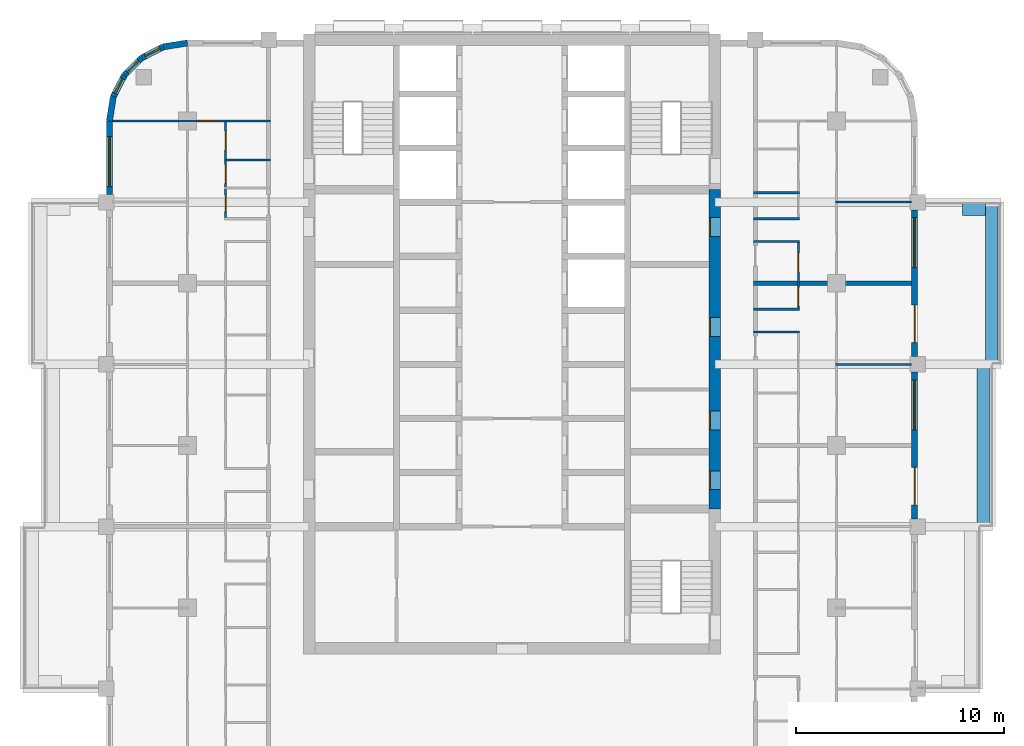
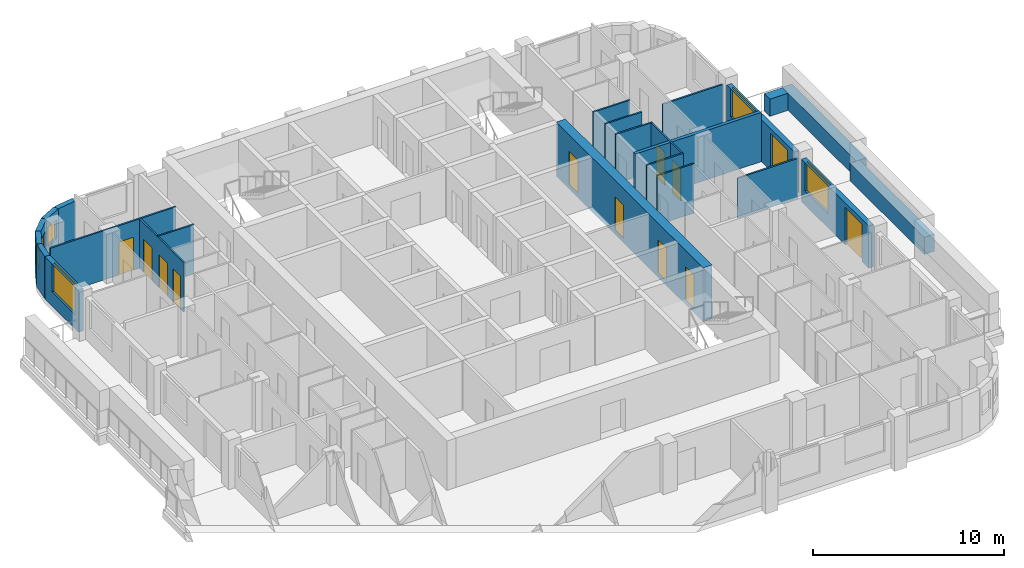
# One storey, part 7 of 13: 24 walls, 12 doors, 6 windows, 18 openings.
"""IFC4 building model written with IfcOpenShell, lengths in metres."""

from ifc_helpers import new_model, si_unit, direction, frame, frame_2d, origin, place, context, subcontext, project, spatial, rectangle, extrude, material, layer, layer_set, type_object, element, fill, save


model = new_model("IFC4")

# Units and contexts
model_context = context("Model", 3, precision=1e-05, world=origin(), true_north=direction((0.0, 1.0)))
body_context = subcontext(model_context, "Body", "Model", "MODEL_VIEW")
ifc_project = project(units=[si_unit("LENGTHUNIT", "METRE"), si_unit("AREAUNIT", "SQUARE_METRE"), si_unit("VOLUMEUNIT", "CUBIC_METRE"), si_unit("PLANEANGLEUNIT", "RADIAN"), si_unit("MASSUNIT", "GRAM", prefix="KILO")], contexts=[model_context])

# Site, building, storey
site_placement = place(None, origin())
site = spatial("IfcSite", under=ifc_project, at=site_placement, CompositionType="ELEMENT")
building_placement = place(site_placement, origin())
building = spatial("IfcBuilding", under=site, at=building_placement, Name="Ludao Terraces", CompositionType="ELEMENT")
storey_placement = place(building_placement, frame((0.0, 0.0, 148.60009765625)))
storey = spatial("IfcBuildingStorey", under=building, at=storey_placement, Name="L40", CompositionType="ELEMENT", Elevation=148.60009765625)

# Wall, openings, doors
ifc_material_1 = material(Name="Concrete C60", Category="concrete")
ifc_layer_1 = layer(ifc_material_1, 0.550048828125)
ifc_layer_set_1 = layer_set([ifc_layer_1], Name="Core wall 550 C60")
wall_type_1 = type_object("IfcWallType", Name="Core wall 550 C60", PredefinedType="SOLIDWALL", material=ifc_layer_set_1)
wall_1_placement = place(storey_placement, frame((94.75, 61.949951171875, -0.300048828125), z_axis=(0.0, 0.0, 1.0), x_axis=(0.0, 1.0, 0.0)))
wall_1 = element("IfcWall", 1, at=wall_1_placement, inside=storey, type_object=wall_type_1, Name="Core wall L40 outer-E", PredefinedType="SOLIDWALL", context=body_context, shape_type="SweptSolid", body=[
    extrude(rectangle(XDim=15.35009765625, YDim=0.550048828125, at=frame_2d((7.675048828125, 0.0))), origin(), (0.0, 0.0, 1.0), 3.449951171875),
])
opening_1_placement = place(wall_1_placement, frame((0.925048828125, 0.0, 0.300048828125)))
opening_1 = element("IfcOpeningElement", 2, at=opening_1_placement, cuts=wall_1, Name="Opening R14-036", PredefinedType="OPENING", context=body_context, shape_type="SweptSolid", body=[
    extrude(rectangle(XDim=0.89990234375, YDim=2.10009765625, at=frame_2d((0.449951171875, 1.050048828125))), frame((0.0, 0.28515625, 0.0), z_axis=(0.0, -1.0, 0.0), x_axis=(1.0, 0.0, 0.0)), (0.0, 0.0, 1.0), 0.570068359375),
])
opening_2_placement = place(wall_1_placement, frame((3.800048828125, 0.0, 0.300048828125)))
opening_2 = element("IfcOpeningElement", 3, at=opening_2_placement, cuts=wall_1, Name="Opening R14-042", PredefinedType="OPENING", context=body_context, shape_type="SweptSolid", body=[
    extrude(rectangle(XDim=0.89990234375, YDim=2.10009765625, at=frame_2d((0.449951171875, 1.050048828125))), frame((0.0, 0.28515625, 0.0), z_axis=(0.0, -1.0, 0.0), x_axis=(1.0, 0.0, 0.0)), (0.0, 0.0, 1.0), 0.570068359375),
])
opening_3_placement = place(wall_1_placement, frame((8.300048828125, 0.0, 0.300048828125)))
opening_3 = element("IfcOpeningElement", 4, at=opening_3_placement, cuts=wall_1, Name="Opening R14-055", PredefinedType="OPENING", context=body_context, shape_type="SweptSolid", body=[
    extrude(rectangle(XDim=0.89990234375, YDim=2.10009765625, at=frame_2d((0.449951171875, 1.050048828125))), frame((0.0, 0.28515625, 0.0), z_axis=(0.0, -1.0, 0.0), x_axis=(1.0, 0.0, 0.0)), (0.0, 0.0, 1.0), 0.570068359375),
])
opening_4_placement = place(wall_1_placement, frame((13.10009765625, 0.0, 0.300048828125)))
opening_4 = element("IfcOpeningElement", 5, at=opening_4_placement, cuts=wall_1, Name="Opening R14-070", PredefinedType="OPENING", context=body_context, shape_type="SweptSolid", body=[
    extrude(rectangle(XDim=0.89990234375, YDim=2.10009765625, at=frame_2d((0.449951171875, 1.050048828125))), frame((0.0, 0.28515625, 0.0), z_axis=(0.0, -1.0, 0.0), x_axis=(1.0, 0.0, 0.0)), (0.0, 0.0, 1.0), 0.570068359375),
])
ifc_material_2 = material(Name="Steel Q235", Category="steel")
door_type_1 = type_object("IfcDoorType", Name="INT Riser door 900", OperationType="SINGLE_SWING_LEFT", PredefinedType="DOOR", material=ifc_material_2)
door_1_placement = place(opening_1_placement, origin())
door_1 = element("IfcDoor", 6, at=door_1_placement, inside=storey, type_object=door_type_1, Name="DOOR 036", OperationType="SINGLE_SWING_LEFT", OverallHeight=2.10009765625, OverallWidth=0.89990234375, PredefinedType="DOOR", context=body_context, shape_type="SweptSolid", body=[
    extrude(rectangle(XDim=0.89990234375, YDim=2.10009765625, at=frame_2d((0.449951171875, 1.050048828125))), frame((0.0, 0.26025390625, 0.0), z_axis=(0.0, -1.0, 0.0), x_axis=(1.0, 0.0, 0.0)), (0.0, 0.0, 1.0), 0.050048828125),
])
fill(opening_1, door_1)
door_2_placement = place(opening_4_placement, origin())
door_2 = element("IfcDoor", 7, at=door_2_placement, inside=storey, type_object=door_type_1, Name="DOOR 070", OperationType="SINGLE_SWING_RIGHT", OverallHeight=2.10009765625, OverallWidth=0.89990234375, PredefinedType="DOOR", context=body_context, shape_type="SweptSolid", body=[
    extrude(rectangle(XDim=0.89990234375, YDim=2.10009765625, at=frame_2d((0.449951171875, 1.050048828125))), frame((0.0, 0.26025390625, 0.0), z_axis=(0.0, -1.0, 0.0), x_axis=(1.0, 0.0, 0.0)), (0.0, 0.0, 1.0), 0.050048828125),
])
fill(opening_4, door_2)
ifc_material_3 = material(Name="Timber door leaf", Category="wood")
door_type_2 = type_object("IfcDoorType", Name="INT Room door 900", OperationType="SINGLE_SWING_LEFT", PredefinedType="DOOR", material=ifc_material_3)
door_3_placement = place(opening_2_placement, origin())
door_3 = element("IfcDoor", 8, at=door_3_placement, inside=storey, type_object=door_type_2, Name="DOOR 042", OperationType="SINGLE_SWING_LEFT", OverallHeight=2.10009765625, OverallWidth=0.89990234375, PredefinedType="DOOR", context=body_context, shape_type="SweptSolid", body=[
    extrude(rectangle(XDim=0.89990234375, YDim=2.10009765625, at=frame_2d((0.449951171875, 1.050048828125))), frame((0.0, 0.26025390625, 0.0), z_axis=(0.0, -1.0, 0.0), x_axis=(1.0, 0.0, 0.0)), (0.0, 0.0, 1.0), 0.050048828125),
])
fill(opening_2, door_3)
door_4_placement = place(opening_3_placement, origin())
door_4 = element("IfcDoor", 9, at=door_4_placement, inside=storey, type_object=door_type_2, Name="DOOR 055", OperationType="SINGLE_SWING_RIGHT", OverallHeight=2.10009765625, OverallWidth=0.89990234375, PredefinedType="DOOR", context=body_context, shape_type="SweptSolid", body=[
    extrude(rectangle(XDim=0.89990234375, YDim=2.10009765625, at=frame_2d((0.449951171875, 1.050048828125))), frame((0.0, 0.26025390625, 0.0), z_axis=(0.0, -1.0, 0.0), x_axis=(1.0, 0.0, 0.0)), (0.0, 0.0, 1.0), 0.050048828125),
])
fill(opening_3, door_4)

# Walls
ifc_material_4 = material(Name="Concrete C40", Category="concrete")
ifc_layer_2 = layer(ifc_material_4, 0.60009765625)
ifc_layer_set_2 = layer_set([ifc_layer_2], Name="ENV Planter trough 600")
wall_type_2 = type_object("IfcWallType", Name="ENV Planter trough 600", PredefinedType="USERDEFINED", material=ifc_layer_set_2)
wall_2_placement = place(storey_placement, frame((107.64990234375, 61.10009765625, 0.0), z_axis=(0.0, 0.0, 1.0), x_axis=(0.0, 1.0, 0.0)))
element("IfcWall", 10, at=wall_2_placement, inside=storey, type_object=wall_type_2, Name="PL-L40-E2", ObjectType="PLANTER", PredefinedType="USERDEFINED", context=body_context, shape_type="SweptSolid", body=[
    extrude(rectangle(XDim=7.7998046875, YDim=0.60009765625, at=frame_2d((3.89990234375, 0.0))), origin(), (0.0, 0.0, 1.0), 1.099853515625),
])
wall_3_placement = place(storey_placement, frame((108.050048828125, 68.89990234375, 0.0), z_axis=(0.0, 0.0, 1.0), x_axis=(0.0, 1.0, 0.0)))
element("IfcWall", 11, at=wall_3_placement, inside=storey, type_object=wall_type_2, Name="PL-L40-E3", ObjectType="PLANTER", PredefinedType="USERDEFINED", context=body_context, shape_type="SweptSolid", body=[
    extrude(rectangle(XDim=7.800048828125, YDim=0.60009765625, at=frame_2d((3.89990234375, 0.0))), origin(), (0.0, 0.0, 1.0), 1.099853515625),
])
wall_4_placement = place(storey_placement, frame((107.75, 76.35009765625, 0.0), z_axis=(0.0, 0.0, 1.0), x_axis=(-1.0, 0.0, 0.0)))
element("IfcWall", 12, at=wall_4_placement, inside=storey, type_object=wall_type_2, Name="PL-L40-E3-SB", ObjectType="PLANTER", PredefinedType="USERDEFINED", context=body_context, shape_type="SweptSolid", body=[
    extrude(rectangle(XDim=1.10009765625, YDim=0.60009765625, at=frame_2d((0.550048828125, 0.0))), origin(), (0.0, 0.0, 1.0), 1.099853515625),
])

# Wall, openings, door, window
ifc_material_5 = material(Name="Granite cladding", Category="masonry")
ifc_layer_3 = layer(ifc_material_5, 0.0400390625, Category="stone")
ifc_material_6 = material(Name="Mineral wool")
ifc_layer_4 = layer(ifc_material_6, 0.06005859375)
ifc_layer_5 = layer(ifc_material_4, 0.199951171875, Category="concrete")
ifc_layer_set_3 = layer_set([ifc_layer_3, ifc_layer_4, ifc_layer_5], Name="ENV Stone-clad wall 300")
wall_type_3 = type_object("IfcWallType", Name="ENV Stone-clad wall 300", PredefinedType="SOLIDWALL", material=ifc_layer_set_3)
wall_5_placement = place(storey_placement, frame((104.35009765625, 61.47509765625, 0.0), z_axis=(0.0, 0.0, 1.0), x_axis=(0.0, 1.0, 0.0)))
wall_5 = element("IfcWall", 13, at=wall_5_placement, inside=storey, type_object=wall_type_3, Name="EW-L40-E3", PredefinedType="SOLIDWALL", context=body_context, shape_type="SweptSolid", body=[
    extrude(rectangle(XDim=7.0498046875, YDim=0.300048828125, at=frame_2d((3.52490234375, 0.0))), origin(), (0.0, 0.0, 1.0), 2.699951171875),
])
opening_5_placement = place(wall_5_placement, frame((0.675048828125, 0.0, 0.0)))
opening_5 = element("IfcOpeningElement", 14, at=opening_5_placement, cuts=wall_5, Name="Opening BD", PredefinedType="OPENING", context=body_context, shape_type="SweptSolid", body=[
    extrude(rectangle(XDim=1.800048828125, YDim=2.39990234375, at=frame_2d((0.89990234375, 1.199951171875))), frame((0.0, 0.16015625, 0.0), z_axis=(0.0, -1.0, 0.0), x_axis=(1.0, 0.0, 0.0)), (0.0, 0.0, 1.0), 0.320068359375),
])
opening_6_placement = place(wall_5_placement, frame((4.27490234375, 0.0, 0.89990234375)))
opening_6 = element("IfcOpeningElement", 15, at=opening_6_placement, cuts=wall_5, Name="Opening W1", PredefinedType="OPENING", context=body_context, shape_type="SweptSolid", body=[
    extrude(rectangle(XDim=2.39990234375, YDim=1.800048828125, at=frame_2d((1.199951171875, 0.89990234375))), frame((0.0, 0.16015625, 0.0), z_axis=(0.0, -1.0, 0.0), x_axis=(1.0, 0.0, 0.0)), (0.0, 0.0, 1.0), 0.320068359375),
])
ifc_material_7 = material(Name="Aluminium glazed door", Category="aluminium")
ifc_layer_6 = layer(ifc_material_7, 0.06005859375)
ifc_layer_set_4 = layer_set([ifc_layer_6], Name="ENV Balcony door BD 1800x2400")
door_type_3 = type_object("IfcDoorType", Name="ENV Balcony door BD 1800x2400", OperationType="DOUBLE_DOOR_SINGLE_SWING", PredefinedType="DOOR", material=ifc_layer_set_4)
door_5_placement = place(opening_5_placement, origin())
door_5 = element("IfcDoor", 16, at=door_5_placement, inside=storey, type_object=door_type_3, Name="BD-L40-E3-1", OperationType="DOUBLE_DOOR_SINGLE_SWING", OverallHeight=2.39990234375, OverallWidth=1.800048828125, PredefinedType="DOOR", context=body_context, shape_type="SweptSolid", body=[
    extrude(rectangle(XDim=1.800048828125, YDim=2.39990234375, at=frame_2d((0.89990234375, 1.199951171875))), frame((0.0, 0.02490234375, 0.0), z_axis=(0.0, -1.0, 0.0), x_axis=(1.0, 0.0, 0.0)), (0.0, 0.0, 1.0), 0.050048828125),
])
fill(opening_5, door_5)
ifc_material_8 = material(Name="Clear glass in aluminium frame", Category="aluminium")
ifc_layer_7 = layer(ifc_material_8, 0.06005859375)
ifc_layer_set_5 = layer_set([ifc_layer_7], Name="ENV Window W1 2400x1800")
window_type_1 = type_object("IfcWindowType", Name="ENV Window W1 2400x1800", PartitioningType="DOUBLE_PANEL_VERTICAL", PredefinedType="WINDOW", material=ifc_layer_set_5)
window_1_placement = place(opening_6_placement, origin())
window_1 = element("IfcWindow", 17, at=window_1_placement, inside=storey, type_object=window_type_1, Name="W-L40-E3-2", OverallHeight=1.800048828125, OverallWidth=2.39990234375, PartitioningType="DOUBLE_PANEL_VERTICAL", PredefinedType="WINDOW", context=body_context, shape_type="SweptSolid", body=[
    extrude(rectangle(XDim=2.39990234375, YDim=1.800048828125, at=frame_2d((1.199951171875, 0.89990234375))), frame((0.0, 0.030029296875, 0.0), z_axis=(0.0, -1.0, 0.0), x_axis=(1.0, 0.0, 0.0)), (0.0, 0.0, 1.0), 0.06005859375),
])
fill(opening_6, window_1)

wall_6_placement = place(storey_placement, frame((104.35009765625, 69.27490234375, 0.0), z_axis=(0.0, 0.0, 1.0), x_axis=(0.0, 1.0, 0.0)))
wall_6 = element("IfcWall", 18, at=wall_6_placement, inside=storey, type_object=wall_type_3, Name="EW-L40-E4", PredefinedType="SOLIDWALL", context=body_context, shape_type="SweptSolid", body=[
    extrude(rectangle(XDim=7.050048828125, YDim=0.300048828125, at=frame_2d((3.52490234375, 0.0))), origin(), (0.0, 0.0, 1.0), 2.699951171875),
])
opening_7_placement = place(wall_6_placement, frame((0.675048828125, 0.0, 0.0)))
opening_7 = element("IfcOpeningElement", 19, at=opening_7_placement, cuts=wall_6, Name="Opening BD", PredefinedType="OPENING", context=body_context, shape_type="SweptSolid", body=[
    extrude(rectangle(XDim=1.800048828125, YDim=2.39990234375, at=frame_2d((0.89990234375, 1.199951171875))), frame((0.0, 0.16015625, 0.0), z_axis=(0.0, -1.0, 0.0), x_axis=(1.0, 0.0, 0.0)), (0.0, 0.0, 1.0), 0.320068359375),
])
opening_8_placement = place(wall_6_placement, frame((4.27490234375, 0.0, 0.89990234375)))
opening_8 = element("IfcOpeningElement", 20, at=opening_8_placement, cuts=wall_6, Name="Opening W1", PredefinedType="OPENING", context=body_context, shape_type="SweptSolid", body=[
    extrude(rectangle(XDim=2.39990234375, YDim=1.800048828125, at=frame_2d((1.199951171875, 0.89990234375))), frame((0.0, 0.16015625, 0.0), z_axis=(0.0, -1.0, 0.0), x_axis=(1.0, 0.0, 0.0)), (0.0, 0.0, 1.0), 0.320068359375),
])
door_6_placement = place(opening_7_placement, origin())
door_6 = element("IfcDoor", 21, at=door_6_placement, inside=storey, type_object=door_type_3, Name="BD-L40-E4-1", OperationType="DOUBLE_DOOR_SINGLE_SWING", OverallHeight=2.39990234375, OverallWidth=1.800048828125, PredefinedType="DOOR", context=body_context, shape_type="SweptSolid", body=[
    extrude(rectangle(XDim=1.800048828125, YDim=2.39990234375, at=frame_2d((0.89990234375, 1.199951171875))), frame((0.0, 0.02490234375, 0.0), z_axis=(0.0, -1.0, 0.0), x_axis=(1.0, 0.0, 0.0)), (0.0, 0.0, 1.0), 0.050048828125),
])
fill(opening_7, door_6)
window_2_placement = place(opening_8_placement, origin())
window_2 = element("IfcWindow", 22, at=window_2_placement, inside=storey, type_object=window_type_1, Name="W-L40-E4-2", OverallHeight=1.800048828125, OverallWidth=2.39990234375, PartitioningType="DOUBLE_PANEL_VERTICAL", PredefinedType="WINDOW", context=body_context, shape_type="SweptSolid", body=[
    extrude(rectangle(XDim=2.39990234375, YDim=1.800048828125, at=frame_2d((1.199951171875, 0.89990234375))), frame((0.0, 0.030029296875, 0.0), z_axis=(0.0, -1.0, 0.0), x_axis=(1.0, 0.0, 0.0)), (0.0, 0.0, 1.0), 0.06005859375),
])
fill(opening_8, window_2)

# Wall, opening, window
wall_7_placement = place(storey_placement, frame((65.64990234375, 77.074951171875, 0.0), z_axis=(0.0, 0.0, 1.0), x_axis=(0.0, 1.0, 0.0)))
wall_7 = element("IfcWall", 23, at=wall_7_placement, inside=storey, type_object=wall_type_3, Name="EW-L40-W5", PredefinedType="SOLIDWALL", context=body_context, shape_type="SweptSolid", body=[
    extrude(rectangle(XDim=3.525146484375, YDim=0.300048828125, at=frame_2d((1.7626953125, 0.0))), origin(), (0.0, 0.0, 1.0), 2.699951171875),
])
opening_9_placement = place(wall_7_placement, frame((0.375, 0.0, 0.89990234375)))
opening_9 = element("IfcOpeningElement", 24, at=opening_9_placement, cuts=wall_7, Name="Opening W1", PredefinedType="OPENING", context=body_context, shape_type="SweptSolid", body=[
    extrude(rectangle(XDim=2.39990234375, YDim=1.800048828125, at=frame_2d((1.199951171875, 0.89990234375))), frame((0.0, 0.16015625, 0.0), z_axis=(0.0, -1.0, 0.0), x_axis=(1.0, 0.0, 0.0)), (0.0, 0.0, 1.0), 0.320068359375),
])
window_3_placement = place(opening_9_placement, origin())
window_3 = element("IfcWindow", 25, at=window_3_placement, inside=storey, type_object=window_type_1, Name="W-L40-W5-1", OverallHeight=1.800048828125, OverallWidth=2.39990234375, PartitioningType="DOUBLE_PANEL_VERTICAL", PredefinedType="WINDOW", context=body_context, shape_type="SweptSolid", body=[
    extrude(rectangle(XDim=2.39990234375, YDim=1.800048828125, at=frame_2d((1.199951171875, 0.89990234375))), frame((0.0, 0.030029296875, 0.0), z_axis=(0.0, -1.0, 0.0), x_axis=(1.0, 0.0, 0.0)), (0.0, 0.0, 1.0), 0.06005859375),
])
fill(opening_9, window_3)

# Wall
wall_8_placement = place(storey_placement, frame((69.39990234375, 84.35009765625, 0.0), z_axis=(0.0, 0.0, 1.0), x_axis=(-0.987678452879, -0.156496880861, 0.0)))
element("IfcWall", 26, at=wall_8_placement, inside=storey, type_object=wall_type_3, Name="EW-L40-NW1", PredefinedType="SOLIDWALL", context=body_context, shape_type="SweptSolid", body=[
    extrude(rectangle(XDim=1.173095703125, YDim=0.300048828125, at=frame_2d((0.58642578125, 0.0))), origin(), (0.0, 0.0, 1.0), 2.699951171875),
])

# Wall, opening, window
wall_9_placement = place(storey_placement, frame((68.2412109375, 84.16650390625, 0.0), z_axis=(0.0, 0.0, 1.0), x_axis=(-0.890988677504, -0.454025524128, 0.0)))
wall_9 = element("IfcWall", 27, at=wall_9_placement, inside=storey, type_object=wall_type_3, Name="EW-L40-NW2", PredefinedType="SOLIDWALL", context=body_context, shape_type="SweptSolid", body=[
    extrude(rectangle(XDim=1.17333984375, YDim=0.300048828125, at=frame_2d((0.586669921875, 0.0))), origin(), (0.0, 0.0, 1.0), 2.699951171875),
])
opening_10_placement = place(wall_9_placement, frame((0.1865234375, 0.0, 0.89990234375)))
opening_10 = element("IfcOpeningElement", 28, at=opening_10_placement, cuts=wall_9, Name="Opening W3", PredefinedType="OPENING", context=body_context, shape_type="SweptSolid", body=[
    extrude(rectangle(XDim=0.800048828125, YDim=1.199951171875, at=frame_2d((0.39990234375, 0.60009765625))), frame((0.0, 0.16015625, 0.0), z_axis=(0.0, -1.0, 0.0), x_axis=(1.0, 0.0, 0.0)), (0.0, 0.0, 1.0), 0.320068359375),
])
ifc_layer_8 = layer(ifc_material_8, 0.06005859375)
ifc_layer_set_6 = layer_set([ifc_layer_8], Name="ENV Window W3 800x1200")
window_type_2 = type_object("IfcWindowType", Name="ENV Window W3 800x1200", PartitioningType="SINGLE_PANEL", PredefinedType="WINDOW", material=ifc_layer_set_6)
window_4_placement = place(opening_10_placement, origin())
window_4 = element("IfcWindow", 29, at=window_4_placement, inside=storey, type_object=window_type_2, Name="W-L40-NW2", OverallHeight=1.199951171875, OverallWidth=0.800048828125, PartitioningType="SINGLE_PANEL", PredefinedType="WINDOW", context=body_context, shape_type="SweptSolid", body=[
    extrude(rectangle(XDim=0.800048828125, YDim=1.199951171875, at=frame_2d((0.39990234375, 0.60009765625))), frame((0.0, 0.030029296875, 0.0), z_axis=(0.0, -1.0, 0.0), x_axis=(1.0, 0.0, 0.0)), (0.0, 0.0, 1.0), 0.06005859375),
])
fill(opening_10, window_4)

wall_10_placement = place(storey_placement, frame((67.19580078125, 83.6337890625, 0.0), z_axis=(0.0, 0.0, 1.0), x_axis=(-0.707106781187, -0.707106781187, 0.0)))
wall_10 = element("IfcWall", 30, at=wall_10_placement, inside=storey, type_object=wall_type_3, Name="EW-L40-NW3", PredefinedType="SOLIDWALL", context=body_context, shape_type="SweptSolid", body=[
    extrude(rectangle(XDim=1.173095703125, YDim=0.300048828125, at=frame_2d((0.58642578125, 0.0))), origin(), (0.0, 0.0, 1.0), 2.699951171875),
])
opening_11_placement = place(wall_10_placement, frame((0.1865234375, 0.0, 0.89990234375)))
opening_11 = element("IfcOpeningElement", 31, at=opening_11_placement, cuts=wall_10, Name="Opening W3", PredefinedType="OPENING", context=body_context, shape_type="SweptSolid", body=[
    extrude(rectangle(XDim=0.800048828125, YDim=1.199951171875, at=frame_2d((0.39990234375, 0.60009765625))), frame((0.0, 0.16015625, 0.0), z_axis=(0.0, -1.0, 0.0), x_axis=(1.0, 0.0, 0.0)), (0.0, 0.0, 1.0), 0.320068359375),
])
window_5_placement = place(opening_11_placement, origin())
window_5 = element("IfcWindow", 32, at=window_5_placement, inside=storey, type_object=window_type_2, Name="W-L40-NW3", OverallHeight=1.199951171875, OverallWidth=0.800048828125, PartitioningType="SINGLE_PANEL", PredefinedType="WINDOW", context=body_context, shape_type="SweptSolid", body=[
    extrude(rectangle(XDim=0.800048828125, YDim=1.199951171875, at=frame_2d((0.39990234375, 0.60009765625))), frame((0.0, 0.030029296875, 0.0), z_axis=(0.0, -1.0, 0.0), x_axis=(1.0, 0.0, 0.0)), (0.0, 0.0, 1.0), 0.06005859375),
])
fill(opening_11, window_5)

wall_11_placement = place(storey_placement, frame((66.3662109375, 82.80419921875, 0.0), z_axis=(0.0, 0.0, 1.0), x_axis=(-0.454025524128, -0.890988677504, 0.0)))
wall_11 = element("IfcWall", 33, at=wall_11_placement, inside=storey, type_object=wall_type_3, Name="EW-L40-NW4", PredefinedType="SOLIDWALL", context=body_context, shape_type="SweptSolid", body=[
    extrude(rectangle(XDim=1.17333984375, YDim=0.300048828125, at=frame_2d((0.586669921875, 0.0))), origin(), (0.0, 0.0, 1.0), 2.699951171875),
])
opening_12_placement = place(wall_11_placement, frame((0.1865234375, 0.0, 0.89990234375)))
opening_12 = element("IfcOpeningElement", 34, at=opening_12_placement, cuts=wall_11, Name="Opening W3", PredefinedType="OPENING", context=body_context, shape_type="SweptSolid", body=[
    extrude(rectangle(XDim=0.800048828125, YDim=1.199951171875, at=frame_2d((0.39990234375, 0.60009765625))), frame((0.0, 0.16015625, 0.0), z_axis=(0.0, -1.0, 0.0), x_axis=(1.0, 0.0, 0.0)), (0.0, 0.0, 1.0), 0.320068359375),
])
window_6_placement = place(opening_12_placement, origin())
window_6 = element("IfcWindow", 35, at=window_6_placement, inside=storey, type_object=window_type_2, Name="W-L40-NW4", OverallHeight=1.199951171875, OverallWidth=0.800048828125, PartitioningType="SINGLE_PANEL", PredefinedType="WINDOW", context=body_context, shape_type="SweptSolid", body=[
    extrude(rectangle(XDim=0.800048828125, YDim=1.199951171875, at=frame_2d((0.39990234375, 0.60009765625))), frame((0.0, 0.030029296875, 0.0), z_axis=(0.0, -1.0, 0.0), x_axis=(1.0, 0.0, 0.0)), (0.0, 0.0, 1.0), 0.06005859375),
])
fill(opening_12, window_6)

# Walls
wall_12_placement = place(storey_placement, frame((65.83349609375, 81.7587890625, 0.0), z_axis=(0.0, 0.0, 1.0), x_axis=(-0.156496880861, -0.987678452879, 0.0)))
element("IfcWall", 36, at=wall_12_placement, inside=storey, type_object=wall_type_3, Name="EW-L40-NW5", PredefinedType="SOLIDWALL", context=body_context, shape_type="SweptSolid", body=[
    extrude(rectangle(XDim=1.173095703125, YDim=0.300048828125, at=frame_2d((0.58642578125, 0.0))), origin(), (0.0, 0.0, 1.0), 2.699951171875),
])
ifc_material_9 = material(Name="Gypsum plasterboard", Category="gypsum")
ifc_layer_9 = layer(ifc_material_9, 0.012451171875, Category="gypsum")
ifc_layer_10 = layer(ifc_material_6, 0.06005859375, Name="insulation")
ifc_layer_11 = layer(ifc_material_2, 0.014892578125, Name="stud")
ifc_layer_12 = layer(ifc_material_9, 0.012451171875, Category="gypsum")
ifc_layer_set_7 = layer_set([ifc_layer_9, ifc_layer_10, ifc_layer_11, ifc_layer_12], Name="INT Partition 100")
wall_type_4 = type_object("IfcWallType", Name="INT Partition 100", PredefinedType="PARTITIONING", material=ifc_layer_set_7)
wall_13_placement = place(storey_placement, frame((100.550048828125, 68.89990234375, 0.0), z_axis=(0.0, 0.0, 1.0), x_axis=(1.0, 0.0, 0.0)))
element("IfcWall", 37, at=wall_13_placement, inside=storey, type_object=wall_type_4, Name="PW-L40-PW029", PredefinedType="PARTITIONING", context=body_context, shape_type="SweptSolid", body=[
    extrude(rectangle(XDim=3.650146484375, YDim=0.10009765625, at=frame_2d((1.8251953125, 0.0))), origin(), (0.0, 0.0, 1.0), 2.5498046875),
])
for number, where, z_axis, x_axis, name in (
    (38, (96.60009765625, 70.449951171875, 0.0), (0.0, 0.0, 1.0), (1.0, 0.0, 0.0), "PW-L40-PW031"),
    (39, (96.60009765625, 71.550048828125, 0.0), (0.0, 0.0, 1.0), (1.0, 0.0, 0.0), "PW-L40-PW032"),
    (40, (96.60009765625, 74.800048828125, 0.0), (0.0, 0.0, 1.0), (1.0, 0.0, 0.0), "PW-L40-PW036"),
    (41, (96.60009765625, 75.89990234375, 0.0), (0.0, 0.0, 1.0), (1.0, 0.0, 0.0), "PW-L40-PW038"),
):
    element("IfcWall", number, at=place(storey_placement, frame(where, z_axis=z_axis, x_axis=x_axis)), inside=storey, type_object=wall_type_4, Name=name, PredefinedType="PARTITIONING", context=body_context, shape_type="SweptSolid", body=[
        extrude(rectangle(XDim=2.219970703125, YDim=0.10009765625, at=frame_2d((1.10986328125, 0.0))), origin(), (0.0, 0.0, 1.0), 3.14990234375),
    ])
wall_14_placement = place(storey_placement, frame((100.550048828125, 76.699951171875, 0.0), z_axis=(0.0, 0.0, 1.0), x_axis=(1.0, 0.0, 0.0)))
element("IfcWall", 42, at=wall_14_placement, inside=storey, type_object=wall_type_4, Name="PW-L40-PW041", PredefinedType="PARTITIONING", context=body_context, shape_type="SweptSolid", body=[
    extrude(rectangle(XDim=3.650146484375, YDim=0.10009765625, at=frame_2d((1.8251953125, 0.0))), origin(), (0.0, 0.0, 1.0), 2.5498046875),
])
for number, where, z_axis, x_axis, name in (
    (43, (96.60009765625, 77.14990234375, 0.0), (0.0, 0.0, 1.0), (1.0, 0.0, 0.0), "PW-L40-PW042"),
    (44, (71.18017578125, 78.72998046875, 0.0), (0.0, 0.0, 1.0), (1.0, 0.0, 0.0), "PW-L40-PW044"),
):
    element("IfcWall", number, at=place(storey_placement, frame(where, z_axis=z_axis, x_axis=x_axis)), inside=storey, type_object=wall_type_4, Name=name, PredefinedType="PARTITIONING", context=body_context, shape_type="SweptSolid", body=[
        extrude(rectangle(XDim=2.219970703125, YDim=0.10009765625, at=frame_2d((1.10986328125, 0.0))), origin(), (0.0, 0.0, 1.0), 3.14990234375),
    ])

# Wall, opening, door
wall_15_placement = place(storey_placement, frame((65.800048828125, 80.60009765625, 0.0), z_axis=(0.0, 0.0, 1.0), x_axis=(1.0, 0.0, 0.0)))
wall_15 = element("IfcWall", 45, at=wall_15_placement, inside=storey, type_object=wall_type_4, Name="PW-L40-PW046", PredefinedType="PARTITIONING", context=body_context, shape_type="SweptSolid", body=[
    extrude(rectangle(XDim=7.60009765625, YDim=0.10009765625, at=frame_2d((3.800048828125, 0.0))), origin(), (0.0, 0.0, 1.0), 3.14990234375),
])
opening_13_placement = place(wall_15_placement, frame((4.139892578125, 0.0, 0.0)))
opening_13 = element("IfcOpeningElement", 46, at=opening_13_placement, cuts=wall_15, Name="Opening R14-085", PredefinedType="OPENING", context=body_context, shape_type="SweptSolid", body=[
    extrude(rectangle(XDim=0.89990234375, YDim=2.10009765625, at=frame_2d((0.449951171875, 1.050048828125))), frame((0.0, 0.06005859375, 0.0), z_axis=(0.0, -1.0, 0.0), x_axis=(1.0, 0.0, 0.0)), (0.0, 0.0, 1.0), 0.1201171875),
])
door_7_placement = place(opening_13_placement, origin())
door_7 = element("IfcDoor", 47, at=door_7_placement, inside=storey, type_object=door_type_2, Name="DOOR 085", OperationType="SINGLE_SWING_LEFT", OverallHeight=2.10009765625, OverallWidth=0.89990234375, PredefinedType="DOOR", context=body_context, shape_type="SweptSolid", body=[
    extrude(rectangle(XDim=0.89990234375, YDim=2.10009765625, at=frame_2d((0.449951171875, 1.050048828125))), frame((0.0, 0.02490234375, 0.0), z_axis=(0.0, -1.0, 0.0), x_axis=(1.0, 0.0, 0.0)), (0.0, 0.0, 1.0), 0.050048828125),
])
fill(opening_13, door_7)

# Wall, openings, doors
wall_16_placement = place(storey_placement, frame((71.22998046875, 75.9501953125, 0.0), z_axis=(0.0, 0.0, 1.0), x_axis=(0.0, 1.0, 0.0)))
wall_16 = element("IfcWall", 48, at=wall_16_placement, inside=storey, type_object=wall_type_4, Name="PW-L40-PW052", PredefinedType="PARTITIONING", context=body_context, shape_type="SweptSolid", body=[
    extrude(rectangle(XDim=4.599853515625, YDim=0.10009765625, at=frame_2d((2.2998046875, 0.0))), origin(), (0.0, 0.0, 1.0), 3.14990234375),
])
opening_14_placement = place(wall_16_placement, frame((0.289794921875, 0.0, 0.0)))
opening_14 = element("IfcOpeningElement", 49, at=opening_14_placement, cuts=wall_16, Name="Opening R14-073", PredefinedType="OPENING", context=body_context, shape_type="SweptSolid", body=[
    extrude(rectangle(XDim=0.800048828125, YDim=2.10009765625, at=frame_2d((0.39990234375, 1.050048828125))), frame((0.0, 0.06005859375, 0.0), z_axis=(0.0, -1.0, 0.0), x_axis=(1.0, 0.0, 0.0)), (0.0, 0.0, 1.0), 0.1201171875),
])
opening_15_placement = place(wall_16_placement, frame((1.65478515625, 0.0, 0.0)))
opening_15 = element("IfcOpeningElement", 50, at=opening_15_placement, cuts=wall_16, Name="Opening R14-077", PredefinedType="OPENING", context=body_context, shape_type="SweptSolid", body=[
    extrude(rectangle(XDim=0.89990234375, YDim=2.10009765625, at=frame_2d((0.449951171875, 1.050048828125))), frame((0.0, 0.06005859375, 0.0), z_axis=(0.0, -1.0, 0.0), x_axis=(1.0, 0.0, 0.0)), (0.0, 0.0, 1.0), 0.1201171875),
])
opening_16_placement = place(wall_16_placement, frame((3.264892578125, 0.0, 0.0)))
opening_16 = element("IfcOpeningElement", 51, at=opening_16_placement, cuts=wall_16, Name="Opening R14-083", PredefinedType="OPENING", context=body_context, shape_type="SweptSolid", body=[
    extrude(rectangle(XDim=0.89990234375, YDim=2.10009765625, at=frame_2d((0.449951171875, 1.050048828125))), frame((0.0, 0.06005859375, 0.0), z_axis=(0.0, -1.0, 0.0), x_axis=(1.0, 0.0, 0.0)), (0.0, 0.0, 1.0), 0.1201171875),
])
door_type_4 = type_object("IfcDoorType", Name="INT Bathroom door 900", OperationType="SINGLE_SWING_LEFT", PredefinedType="DOOR", material=ifc_material_3)
door_8_placement = place(opening_15_placement, origin())
door_8 = element("IfcDoor", 52, at=door_8_placement, inside=storey, type_object=door_type_4, Name="DOOR 077", OperationType="SINGLE_SWING_RIGHT", OverallHeight=2.10009765625, OverallWidth=0.89990234375, PredefinedType="DOOR", context=body_context, shape_type="SweptSolid", body=[
    extrude(rectangle(XDim=0.89990234375, YDim=2.10009765625, at=frame_2d((0.449951171875, 1.050048828125))), frame((0.0, 0.02490234375, 0.0), z_axis=(0.0, -1.0, 0.0), x_axis=(1.0, 0.0, 0.0)), (0.0, 0.0, 1.0), 0.050048828125),
])
fill(opening_15, door_8)
door_9_placement = place(opening_16_placement, origin())
door_9 = element("IfcDoor", 53, at=door_9_placement, inside=storey, type_object=door_type_2, Name="DOOR 083", OperationType="SINGLE_SWING_LEFT", OverallHeight=2.10009765625, OverallWidth=0.89990234375, PredefinedType="DOOR", context=body_context, shape_type="SweptSolid", body=[
    extrude(rectangle(XDim=0.89990234375, YDim=2.10009765625, at=frame_2d((0.449951171875, 1.050048828125))), frame((0.0, 0.02490234375, 0.0), z_axis=(0.0, -1.0, 0.0), x_axis=(1.0, 0.0, 0.0)), (0.0, 0.0, 1.0), 0.050048828125),
])
fill(opening_16, door_9)
door_type_5 = type_object("IfcDoorType", Name="INT Store door 800", OperationType="SINGLE_SWING_LEFT", PredefinedType="DOOR", material=ifc_material_3)
door_10_placement = place(opening_14_placement, origin())
door_10 = element("IfcDoor", 54, at=door_10_placement, inside=storey, type_object=door_type_5, Name="DOOR 073", OperationType="SINGLE_SWING_RIGHT", OverallHeight=2.10009765625, OverallWidth=0.800048828125, PredefinedType="DOOR", context=body_context, shape_type="SweptSolid", body=[
    extrude(rectangle(XDim=0.800048828125, YDim=2.10009765625, at=frame_2d((0.39990234375, 1.050048828125))), frame((0.0, 0.02490234375, 0.0), z_axis=(0.0, -1.0, 0.0), x_axis=(1.0, 0.0, 0.0)), (0.0, 0.0, 1.0), 0.050048828125),
])
fill(opening_14, door_10)

wall_17_placement = place(storey_placement, frame((98.77001953125, 71.60009765625, 0.0), z_axis=(0.0, 0.0, 1.0), x_axis=(0.0, 1.0, 0.0)))
wall_17 = element("IfcWall", 55, at=wall_17_placement, inside=storey, type_object=wall_type_4, Name="PW-L40-PW062", PredefinedType="PARTITIONING", context=body_context, shape_type="SweptSolid", body=[
    extrude(rectangle(XDim=3.14990234375, YDim=0.10009765625, at=frame_2d((1.574951171875, 0.0))), origin(), (0.0, 0.0, 1.0), 3.14990234375),
])
opening_17_placement = place(wall_17_placement, frame((0.10009765625, 0.0, 0.0)))
opening_17 = element("IfcOpeningElement", 56, at=opening_17_placement, cuts=wall_17, Name="Opening R14-059", PredefinedType="OPENING", context=body_context, shape_type="SweptSolid", body=[
    extrude(rectangle(XDim=0.89990234375, YDim=2.10009765625, at=frame_2d((0.449951171875, 1.050048828125))), frame((0.0, 0.06005859375, 0.0), z_axis=(0.0, -1.0, 0.0), x_axis=(1.0, 0.0, 0.0)), (0.0, 0.0, 1.0), 0.1201171875),
])
opening_18_placement = place(wall_17_placement, frame((1.75, 0.0, 0.0)))
opening_18 = element("IfcOpeningElement", 57, at=opening_18_placement, cuts=wall_17, Name="Opening R14-063", PredefinedType="OPENING", context=body_context, shape_type="SweptSolid", body=[
    extrude(rectangle(XDim=0.89990234375, YDim=2.10009765625, at=frame_2d((0.449951171875, 1.050048828125))), frame((0.0, 0.06005859375, 0.0), z_axis=(0.0, -1.0, 0.0), x_axis=(1.0, 0.0, 0.0)), (0.0, 0.0, 1.0), 0.1201171875),
])
door_11_placement = place(opening_17_placement, origin())
door_11 = element("IfcDoor", 58, at=door_11_placement, inside=storey, type_object=door_type_4, Name="DOOR 059", OperationType="SINGLE_SWING_LEFT", OverallHeight=2.10009765625, OverallWidth=0.89990234375, PredefinedType="DOOR", context=body_context, shape_type="SweptSolid", body=[
    extrude(rectangle(XDim=0.89990234375, YDim=2.10009765625, at=frame_2d((0.449951171875, 1.050048828125))), frame((0.0, 0.02490234375, 0.0), z_axis=(0.0, -1.0, 0.0), x_axis=(1.0, 0.0, 0.0)), (0.0, 0.0, 1.0), 0.050048828125),
])
fill(opening_17, door_11)
door_12_placement = place(opening_18_placement, origin())
door_12 = element("IfcDoor", 59, at=door_12_placement, inside=storey, type_object=door_type_4, Name="DOOR 063", OperationType="SINGLE_SWING_LEFT", OverallHeight=2.10009765625, OverallWidth=0.89990234375, PredefinedType="DOOR", context=body_context, shape_type="SweptSolid", body=[
    extrude(rectangle(XDim=0.89990234375, YDim=2.10009765625, at=frame_2d((0.449951171875, 1.050048828125))), frame((0.0, 0.02490234375, 0.0), z_axis=(0.0, -1.0, 0.0), x_axis=(1.0, 0.0, 0.0)), (0.0, 0.0, 1.0), 0.050048828125),
])
fill(opening_18, door_12)

# Wall
ifc_material_10 = material(Name="Autoclaved aerated concrete block B06 A3.5", Category="concrete")
ifc_layer_13 = layer(ifc_material_10, 0.199951171875)
ifc_layer_set_8 = layer_set([ifc_layer_13], Name="INT Party wall 200")
wall_type_5 = type_object("IfcWallType", Name="INT Party wall 200", PredefinedType="PARTITIONING", material=ifc_layer_set_8)
wall_18_placement = place(storey_placement, frame((96.60009765625, 72.800048828125, 0.0), z_axis=(0.0, 0.0, 1.0), x_axis=(1.0, 0.0, 0.0)))
element("IfcWall", 60, at=wall_18_placement, inside=storey, type_object=wall_type_5, Name="PW-L40-PW034", PredefinedType="PARTITIONING", context=body_context, shape_type="SweptSolid", body=[
    extrude(rectangle(XDim=7.60009765625, YDim=0.199951171875, at=frame_2d((3.800048828125, 0.0))), origin(), (0.0, 0.0, 1.0), 3.14990234375),
])

save(model, "model.ifc")
